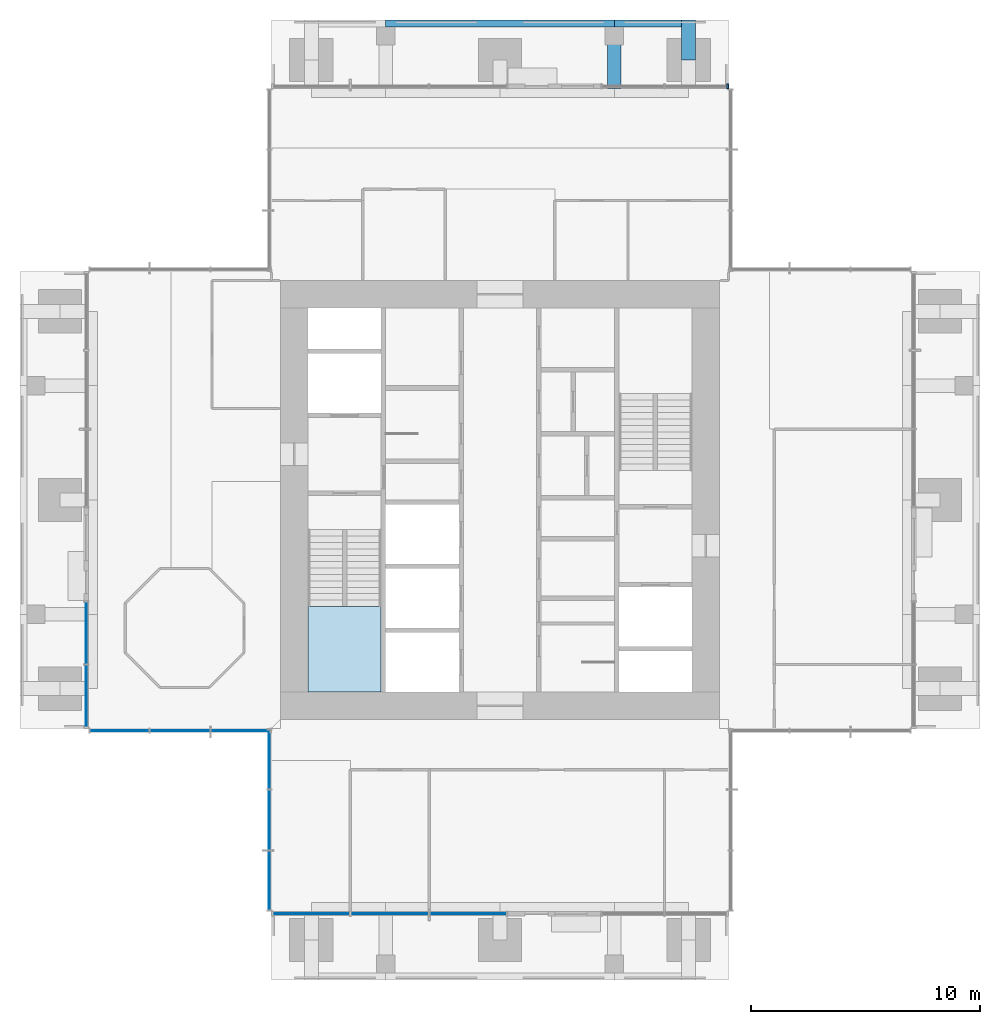
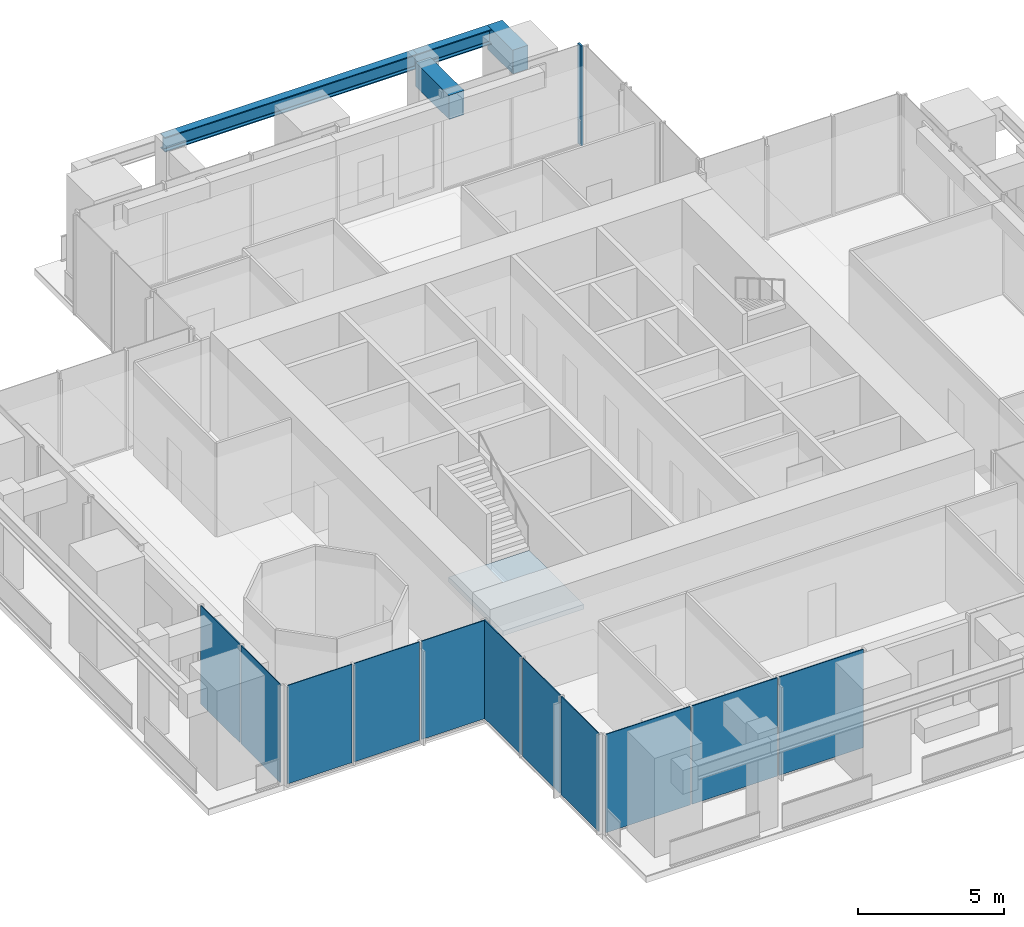
# One storey, part 5 of 12: 11 plates, 4 beams, 1 member, 1 slab, 6 elements without a shape of their own.
"""IFC4 building model written with IfcOpenShell, lengths in metres."""

from ifc_helpers import new_model, si_unit, direction, frame, origin, origin_2d, place, context, subcontext, project, spatial, polyline, rectangle, i_section, outline, extrude, material, layer, layer_set, material_profile, profile_set, type_object, element, aggregate, save


model = new_model("IFC4")

# Units and contexts
model_context = context("Model", 3, precision=1e-05, world=origin(), true_north=direction((0.0, 1.0)))
body_context = subcontext(model_context, "Body", "Model", "MODEL_VIEW")
ifc_project = project(units=[si_unit("LENGTHUNIT", "METRE"), si_unit("AREAUNIT", "SQUARE_METRE"), si_unit("VOLUMEUNIT", "CUBIC_METRE"), si_unit("PLANEANGLEUNIT", "RADIAN"), si_unit("MASSUNIT", "GRAM", prefix="KILO")], contexts=[model_context])

# Site, building, storey
site_placement = place(None, origin())
site = spatial("IfcSite", under=ifc_project, at=site_placement, CompositionType="ELEMENT")
building_placement = place(site_placement, origin())
building = spatial("IfcBuilding", under=site, at=building_placement, Name="Svetlomir Tower", CompositionType="ELEMENT")
storey_placement = place(building_placement, frame((0.0, 0.0, 269.199951171875)))
storey = spatial("IfcBuildingStorey", under=building, at=storey_placement, Name="L64", CompositionType="ELEMENT", Elevation=269.199951171875)

# Curtain wall, member
ifc_material_1 = material(Name="Bronze anodised aluminium curtain wall", Category="aluminium")
curtain_wall_type = type_object("IfcCurtainWallType", Name="CURTAIN WALL CW4 EXECUTIVE", PredefinedType="NOTDEFINED", material=ifc_material_1)
curtain_wall_1_placement = place(storey_placement, origin())
curtain_wall_1 = element("IfcCurtainWall", 1, at=curtain_wall_1_placement, inside=storey, type_object=curtain_wall_type, Name="Curtain wall CW4 L64", PredefinedType="NOTDEFINED")
ifc_material_2 = material(Name="Bronze anodised aluminium", Category="aluminium")
ifc_material_profile_1 = material_profile(ifc_material_2, rectangle(XDim=0.074951171875, YDim=0.219970703125, at=origin_2d()), Name="AL 75x220")
ifc_profile_set_1 = profile_set([ifc_material_profile_1], Name="Bronze anodised aluminium 6063-T6")
member_type = type_object("IfcMemberType", Name="CW4 MULLION 75x220", PredefinedType="MULLION", material=ifc_profile_set_1)
member_placement = place(storey_placement, frame((30.96240234375, 39.10009765625, 0.0), z_axis=(0.0, 0.0, 1.0), x_axis=(-1.0, 0.0, 0.0)))
member = element("IfcMember", 2, at=member_placement, type_object=member_type, Name="CW4 mullion 1", PredefinedType="MULLION", context=body_context, shape_type="SweptSolid", body=[
    extrude(rectangle(XDim=0.074951171875, YDim=0.219970703125, at=origin_2d()), origin(), (0.0, 0.0, 1.0), 4.199951171875),
])
aggregate(curtain_wall_1, [member])

# Beams
ifc_material_3 = material(Name="Steel S355", Category="steel")
ifc_material_profile_2 = material_profile(ifc_material_3, i_section(OverallWidth=0.304931640625, OverallDepth=0.6201171875, WebThickness=0.02099609375, FlangeThickness=0.0400390625, FilletRadius=0.027099609375, at=origin_2d()), Name="HEM 600")
ifc_profile_set_2 = profile_set([ifc_material_profile_2], Name="Steel S355")
beam_type_1 = type_object("IfcBeamType", Name="EDGE BEAM HEM 600", PredefinedType="SPANDREL", material=ifc_profile_set_2)
beam_1_placement = place(storey_placement, frame((16.0, 41.847412109375, 3.64013671875), z_axis=(1.0, 0.0, 0.0), x_axis=(0.0, 1.0, 0.0)))
element("IfcBeam", 3, at=beam_1_placement, inside=storey, type_object=beam_type_1, Name="Edge beam 16/42 to 26/42 under L65", PredefinedType="SPANDREL", context=body_context, shape_type="SweptSolid", body=[
    extrude(i_section(OverallWidth=0.304931640625, OverallDepth=0.6201171875, WebThickness=0.02099609375, FlangeThickness=0.0400390625, FilletRadius=0.027099609375, at=origin_2d()), origin(), (0.0, 0.0, 1.0), 10.0),
])
beam_2_placement = place(storey_placement, frame((26.0, 41.847412109375, 3.64013671875), z_axis=(1.0, 0.0, 0.0), x_axis=(0.0, 1.0, 0.0)))
element("IfcBeam", 4, at=beam_2_placement, inside=storey, type_object=beam_type_1, Name="Edge beam 26/42 to 31/42 under L65", PredefinedType="SPANDREL", context=body_context, shape_type="SweptSolid", body=[
    extrude(i_section(OverallWidth=0.304931640625, OverallDepth=0.6201171875, WebThickness=0.02099609375, FlangeThickness=0.0400390625, FilletRadius=0.027099609375, at=origin_2d()), origin(), (0.0, 0.0, 1.0), 2.949951171875),
])
ifc_material_4 = material(Name="Concrete C60/75", Category="concrete")
ifc_material_profile_3 = material_profile(ifc_material_4, rectangle(XDim=0.60009765625, YDim=1.0, at=origin_2d()), Name="RC 600x1000")
ifc_profile_set_3 = profile_set([ifc_material_profile_3], Name="Concrete C60/75")
beam_type_2 = type_object("IfcBeamType", Name="EDGE LINK BEAM RC 600x1000", PredefinedType="BEAM", material=ifc_profile_set_3)
beam_3_placement = place(storey_placement, frame((29.25, 40.25, 3.449951171875), z_axis=(0.0, 1.0, 0.0), x_axis=(-1.0, 0.0, 0.0)))
element("IfcBeam", 5, at=beam_3_placement, inside=storey, type_object=beam_type_2, Name="Edge link beam N 31/42 under L65", PredefinedType="BEAM", context=body_context, shape_type="SweptSolid", body=[
    extrude(rectangle(XDim=0.60009765625, YDim=1.0, at=origin_2d()), origin(), (0.0, 0.0, 1.0), 1.75),
])
ifc_material_5 = material(Name="Concrete C60/75", Category="concrete")
ifc_material_profile_4 = material_profile(ifc_material_5, rectangle(XDim=0.60009765625, YDim=1.0, at=origin_2d()), Name="RC 600x1000")
ifc_profile_set_4 = profile_set([ifc_material_profile_4], Name="Concrete C60/75")
beam_type_3 = type_object("IfcBeamType", Name="LOGGIA LINK BEAM RC 600x1000", PredefinedType="BEAM", material=ifc_profile_set_4)
beam_4_placement = place(storey_placement, frame((26.0, 41.300048828125, 3.449951171875), z_axis=(0.0, -1.0, 0.0), x_axis=(1.0, 0.0, 0.0)))
element("IfcBeam", 6, at=beam_4_placement, inside=storey, type_object=beam_type_3, Name="Loggia link beam N 26 under L65", PredefinedType="BEAM", context=body_context, shape_type="SweptSolid", body=[
    extrude(rectangle(XDim=0.60009765625, YDim=1.0, at=origin_2d()), origin(), (0.0, 0.0, 1.0), 2.300048828125),
])

# Curtain wall, plates
curtain_wall_2_placement = place(storey_placement, origin())
curtain_wall_2 = element("IfcCurtainWall", 7, at=curtain_wall_2_placement, inside=storey, type_object=curtain_wall_type, Name="Curtain wall CW4 L64", PredefinedType="NOTDEFINED")
ifc_material_6 = material(Name="Tinted double glazed unit", Category="glass")
ifc_layer_1 = layer(ifc_material_6, 0.035888671875)
ifc_layer_set_1 = layer_set([ifc_layer_1], Name="Tinted double glazed unit")
plate_type = type_object("IfcPlateType", Name="CW4 GLAZED PANEL 36", PredefinedType="CURTAIN_PANEL", material=ifc_layer_set_1)
plate_1_placement = place(storey_placement, frame((12.74365234375, 2.89990234375, 0.074951171875), z_axis=(0.0, 0.0, 1.0), x_axis=(1.0, 0.0, 0.0)))
plate_1 = element("IfcPlate", 8, at=plate_1_placement, type_object=plate_type, Name="CW4 panel 1.1", PredefinedType="CURTAIN_PANEL", context=body_context, shape_type="SweptSolid", body=[
    extrude(rectangle(XDim=3.33740234375, YDim=0.035888671875, at=origin_2d()), origin(), (0.0, 0.0, 1.0), 4.125),
])
plate_2_placement = place(storey_placement, frame((16.175048828125, 2.89990234375, 0.074951171875), z_axis=(0.0, 0.0, 1.0), x_axis=(1.0, 0.0, 0.0)))
plate_2 = element("IfcPlate", 9, at=plate_2_placement, type_object=plate_type, Name="CW4 panel 2.1", PredefinedType="CURTAIN_PANEL", context=body_context, shape_type="SweptSolid", body=[
    extrude(rectangle(XDim=3.375, YDim=0.035888671875, at=origin_2d()), origin(), (0.0, 0.0, 1.0), 4.125),
])
plate_3_placement = place(storey_placement, frame((19.606201171875, 2.89990234375, 0.074951171875), z_axis=(0.0, 0.0, 1.0), x_axis=(1.0, 0.0, 0.0)))
plate_3 = element("IfcPlate", 10, at=plate_3_placement, type_object=plate_type, Name="CW4 panel 3.1", PredefinedType="CURTAIN_PANEL", context=body_context, shape_type="SweptSolid", body=[
    extrude(rectangle(XDim=3.33740234375, YDim=0.035888671875, at=origin_2d()), origin(), (0.0, 0.0, 1.0), 4.125),
])
aggregate(curtain_wall_2, [plate_1, plate_2, plate_3])

curtain_wall_3_placement = place(storey_placement, origin())
curtain_wall_3 = element("IfcCurtainWall", 11, at=curtain_wall_3_placement, inside=storey, type_object=curtain_wall_type, Name="Curtain wall CW4 L64", PredefinedType="NOTDEFINED")
plate_4_placement = place(storey_placement, frame((2.89990234375, 15.18115234375, 0.074951171875), z_axis=(0.0, 0.0, 1.0), x_axis=(0.0, -1.0, 0.0)))
plate_4 = element("IfcPlate", 12, at=plate_4_placement, type_object=plate_type, Name="CW4 panel 1.1", PredefinedType="CURTAIN_PANEL", context=body_context, shape_type="SweptSolid", body=[
    extrude(rectangle(XDim=2.6875, YDim=0.035888671875, at=origin_2d()), origin(), (0.0, 0.0, 1.0), 4.125),
])
plate_5_placement = place(storey_placement, frame((2.89990234375, 12.418701171875, 0.074951171875), z_axis=(0.0, 0.0, 1.0), x_axis=(0.0, -1.0, 0.0)))
plate_5 = element("IfcPlate", 13, at=plate_5_placement, type_object=plate_type, Name="CW4 panel 2.1", PredefinedType="CURTAIN_PANEL", context=body_context, shape_type="SweptSolid", body=[
    extrude(rectangle(XDim=2.6875, YDim=0.035888671875, at=origin_2d()), origin(), (0.0, 0.0, 1.0), 4.125),
])
aggregate(curtain_wall_3, [plate_4, plate_5])

curtain_wall_4_placement = place(storey_placement, origin())
curtain_wall_4 = element("IfcCurtainWall", 14, at=curtain_wall_4_placement, inside=storey, type_object=curtain_wall_type, Name="Curtain wall CW4 L64", PredefinedType="NOTDEFINED")
plate_6_placement = place(storey_placement, frame((4.35205078125, 10.89990234375, 0.074951171875), z_axis=(0.0, 0.0, 1.0), x_axis=(1.0, 0.0, 0.0)))
plate_6 = element("IfcPlate", 15, at=plate_6_placement, type_object=plate_type, Name="CW4 panel 1.1", PredefinedType="CURTAIN_PANEL", context=body_context, shape_type="SweptSolid", body=[
    extrude(rectangle(XDim=2.55419921875, YDim=0.035888671875, at=origin_2d()), origin(), (0.0, 0.0, 1.0), 4.125),
])
plate_7_placement = place(storey_placement, frame((7.0, 10.89990234375, 0.074951171875), z_axis=(0.0, 0.0, 1.0), x_axis=(1.0, 0.0, 0.0)))
plate_7 = element("IfcPlate", 16, at=plate_7_placement, type_object=plate_type, Name="CW4 panel 2.1", PredefinedType="CURTAIN_PANEL", context=body_context, shape_type="SweptSolid", body=[
    extrude(rectangle(XDim=2.591552734375, YDim=0.035888671875, at=origin_2d()), origin(), (0.0, 0.0, 1.0), 4.125),
])
plate_8_placement = place(storey_placement, frame((9.64794921875, 10.89990234375, 0.074951171875), z_axis=(0.0, 0.0, 1.0), x_axis=(1.0, 0.0, 0.0)))
plate_8 = element("IfcPlate", 17, at=plate_8_placement, type_object=plate_type, Name="CW4 panel 3.1", PredefinedType="CURTAIN_PANEL", context=body_context, shape_type="SweptSolid", body=[
    extrude(rectangle(XDim=2.55419921875, YDim=0.035888671875, at=origin_2d()), origin(), (0.0, 0.0, 1.0), 4.125),
])
aggregate(curtain_wall_4, [plate_6, plate_7, plate_8])

curtain_wall_5_placement = place(storey_placement, origin())
curtain_wall_5 = element("IfcCurtainWall", 18, at=curtain_wall_5_placement, inside=storey, type_object=curtain_wall_type, Name="Curtain wall CW4 L64", PredefinedType="NOTDEFINED")
plate_9_placement = place(storey_placement, frame((10.89990234375, 9.64794921875, 0.074951171875), z_axis=(0.0, 0.0, 1.0), x_axis=(0.0, -1.0, 0.0)))
plate_9 = element("IfcPlate", 19, at=plate_9_placement, type_object=plate_type, Name="CW4 panel 1.1", PredefinedType="CURTAIN_PANEL", context=body_context, shape_type="SweptSolid", body=[
    extrude(rectangle(XDim=2.55419921875, YDim=0.035888671875, at=origin_2d()), origin(), (0.0, 0.0, 1.0), 4.125),
])
plate_10_placement = place(storey_placement, frame((10.89990234375, 7.0, 0.074951171875), z_axis=(0.0, 0.0, 1.0), x_axis=(0.0, -1.0, 0.0)))
plate_10 = element("IfcPlate", 20, at=plate_10_placement, type_object=plate_type, Name="CW4 panel 2.1", PredefinedType="CURTAIN_PANEL", context=body_context, shape_type="SweptSolid", body=[
    extrude(rectangle(XDim=2.591552734375, YDim=0.035888671875, at=origin_2d()), origin(), (0.0, 0.0, 1.0), 4.125),
])
plate_11_placement = place(storey_placement, frame((10.89990234375, 4.35205078125, 0.074951171875), z_axis=(0.0, 0.0, 1.0), x_axis=(0.0, -1.0, 0.0)))
plate_11 = element("IfcPlate", 21, at=plate_11_placement, type_object=plate_type, Name="CW4 panel 3.1", PredefinedType="CURTAIN_PANEL", context=body_context, shape_type="SweptSolid", body=[
    extrude(rectangle(XDim=2.55419921875, YDim=0.035888671875, at=origin_2d()), origin(), (0.0, 0.0, 1.0), 4.125),
])
aggregate(curtain_wall_5, [plate_9, plate_10, plate_11])

# Stair, slab
ifc_material_7 = material(Name="Concrete C60/75", Category="concrete")
stair_type = type_object("IfcStairType", Name="EXIT STAIR 3200 RISE 4200", PredefinedType="HALF_TURN_STAIR", material=ifc_material_7)
stair_placement = place(storey_placement, origin())
stair = element("IfcStair", 22, at=stair_placement, inside=storey, type_object=stair_type, Name="Stair S1 L64 to L65", PredefinedType="HALF_TURN_STAIR")
ifc_material_8 = material(Name="Concrete C60/75", Category="concrete")
ifc_layer_2 = layer(ifc_material_8, 0.199951171875)
ifc_layer_set_2 = layer_set([ifc_layer_2], Name="Concrete C60/75")
slab_type = type_object("IfcSlabType", Name="STAIR LANDING 200", PredefinedType="LANDING", material=ifc_layer_set_2)
slab_placement = place(storey_placement, frame((0.0, 0.0, 1.900146484375)))
slab = element("IfcSlab", 23, at=slab_placement, type_object=slab_type, Name="S1 landing 1", PredefinedType="LANDING", context=body_context, shape_type="SweptSolid", body=[
    extrude(outline(polyline([(12.60009765625, 12.60009765625), (15.800048828125, 12.60009765625), (15.800048828125, 16.340087890625), (12.60009765625, 16.340087890625), (12.60009765625, 12.60009765625)])), origin(), (0.0, 0.0, 1.0), 0.199951171875),
])
aggregate(stair, [slab])

save(model, "model.ifc")
